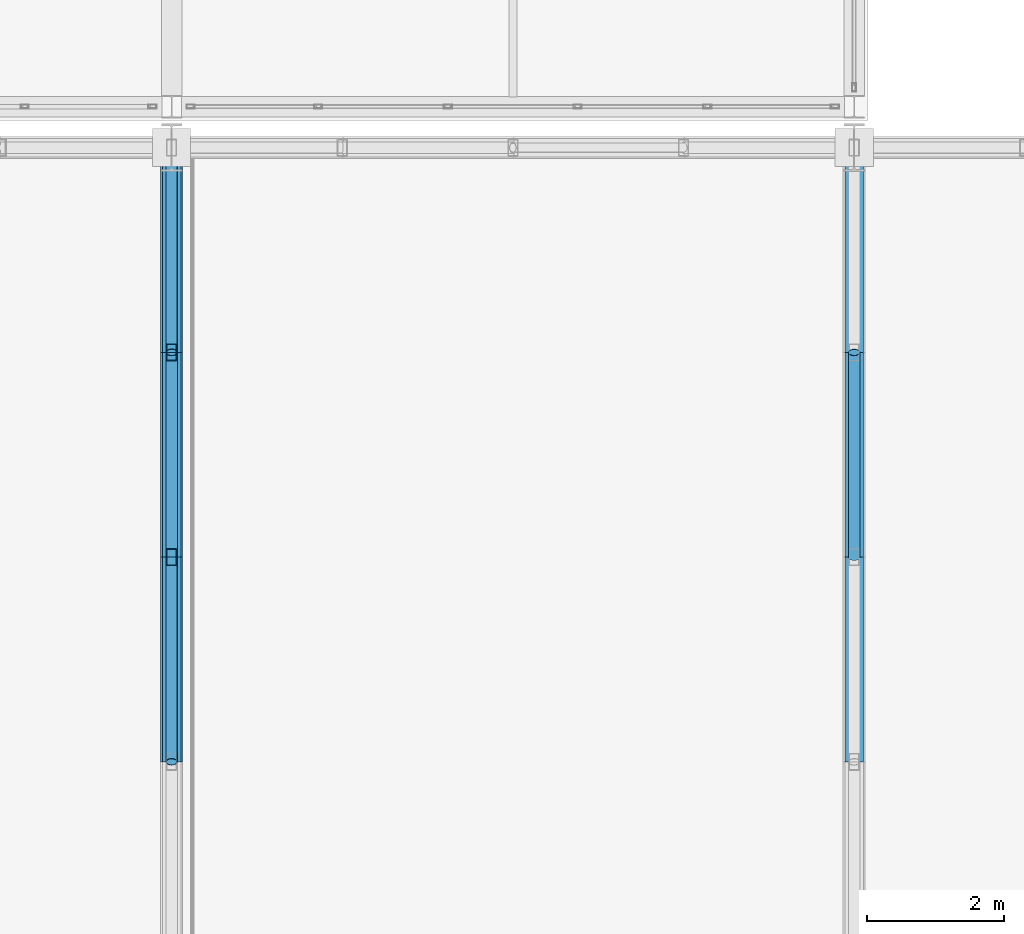
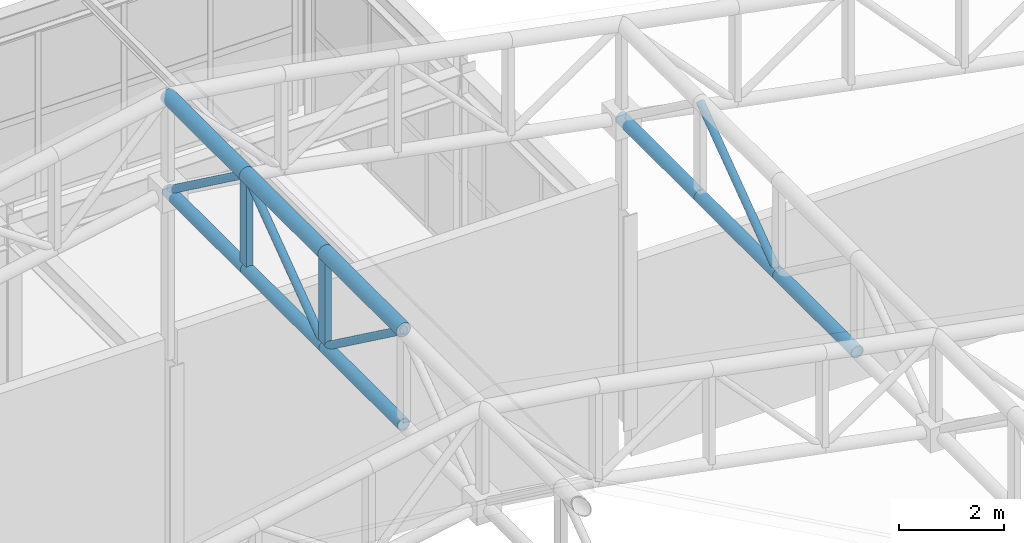
# One storey, part 68 of 112: 15 members.
"""IFC4 building model written with IfcOpenShell, lengths in metres."""

from ifc_helpers import new_model, si_unit, direction, frame, origin, origin_2d, place, context, subcontext, project, spatial, hollow_rectangle, hollow_circle, extrude, material, material_profile, profile_set, type_object, element, save


model = new_model("IFC4")

# Units and contexts
model_context = context("Model", 3, precision=1e-05, world=origin(), true_north=direction((0.0, 1.0)))
body_context = subcontext(model_context, "Body", "Model", "MODEL_VIEW")
ifc_project = project(units=[si_unit("LENGTHUNIT", "METRE"), si_unit("AREAUNIT", "SQUARE_METRE"), si_unit("VOLUMEUNIT", "CUBIC_METRE"), si_unit("PLANEANGLEUNIT", "RADIAN"), si_unit("MASSUNIT", "GRAM", prefix="KILO")], contexts=[model_context])

# Site, building, storey
site_placement = place(None, origin())
site = spatial("IfcSite", under=ifc_project, at=site_placement, CompositionType="ELEMENT")
building_placement = place(site_placement, origin())
building = spatial("IfcBuilding", under=site, at=building_placement, Name="Kaldris Quays Convention Centre", CompositionType="ELEMENT")
storey_placement = place(building_placement, frame((0.0, 0.0, 16.800048828125)))
storey = spatial("IfcBuildingStorey", under=building, at=storey_placement, Name="L03", CompositionType="ELEMENT", Elevation=16.800048828125)

# Members
ifc_material = material(Name="Steel S355J2H", Category="steel")
ifc_material_profile_1 = material_profile(ifc_material, hollow_circle(Radius=0.161865234375, WallThickness=0.01611328125, at=origin_2d()), Name="CHS 323.9x16")
ifc_profile_set_1 = profile_set([ifc_material_profile_1], Name="Steel S355J2H")
member_type_1 = type_object("IfcMemberType", Name="STRUCTURAL MEMBER SC03", PredefinedType="CHORD", material=ifc_profile_set_1)
for number, where, z_axis, x_axis, name in (
    (1, (184.0, 95.0, 11.072509765625), (0.0, 1.0, 0.0), (-1.0, 0.0, 0.0), "SF-V2 Top Chord Y 121"),
    (2, (184.0, 98.0, 11.072509765625), (0.0, 1.0, 0.0), (-1.0, 0.0, 0.0), "SF-V2 Top Chord Y 122"),
    (3, (184.0, 101.0, 11.072509765625), (0.0, 1.0, 0.0), (-1.0, 0.0, 0.0), "SF-V2 Top Chord Y 123"),
):
    element("IfcMember", number, at=place(storey_placement, frame(where, z_axis=z_axis, x_axis=x_axis)), inside=storey, type_object=member_type_1, Name=name, PredefinedType="CHORD", context=body_context, shape_type="SweptSolid", body=[
        extrude(hollow_circle(Radius=0.161865234375, WallThickness=0.01611328125, at=origin_2d()), origin(), (0.0, 0.0, 1.0), 3.0),
    ])
ifc_material_profile_2 = material_profile(ifc_material, hollow_circle(Radius=0.136474609375, WallThickness=0.012451171875, at=origin_2d()), Name="CHS 273x12.5")
ifc_profile_set_2 = profile_set([ifc_material_profile_2], Name="Steel S355J2H")
member_type_2 = type_object("IfcMemberType", Name="STRUCTURAL MEMBER SC04", PredefinedType="CHORD", material=ifc_profile_set_2)
for number, where, z_axis, x_axis, name in (
    (4, (184.0, 95.0, 8.87255859375), (0.0, 1.0, 0.0), (-1.0, 0.0, 0.0), "SF-V2 Bottom Chord Y 121"),
    (5, (184.0, 98.0, 8.87255859375), (0.0, 1.0, 0.0), (-1.0, 0.0, 0.0), "SF-V2 Bottom Chord Y 122"),
    (6, (184.0, 101.0, 8.87255859375), (0.0, 1.0, 0.0), (-1.0, 0.0, 0.0), "SF-V2 Bottom Chord Y 123"),
    (7, (194.0, 95.0, 7.059326171875), (0.0, 1.0, 0.0), (-1.0, 0.0, 0.0), "SF-V2 Bottom Chord Y 137"),
    (8, (194.0, 98.0, 7.059326171875), (0.0, 1.0, 0.0), (-1.0, 0.0, 0.0), "SF-V2 Bottom Chord Y 138"),
    (9, (194.0, 101.0, 7.059326171875), (0.0, 1.0, 0.0), (-1.0, 0.0, 0.0), "SF-V2 Bottom Chord Y 139"),
):
    element("IfcMember", number, at=place(storey_placement, frame(where, z_axis=z_axis, x_axis=x_axis)), inside=storey, type_object=member_type_2, Name=name, PredefinedType="CHORD", context=body_context, shape_type="SweptSolid", body=[
        extrude(hollow_circle(Radius=0.136474609375, WallThickness=0.012451171875, at=origin_2d()), origin(), (0.0, 0.0, 1.0), 3.0),
    ])
ifc_material_profile_3 = material_profile(ifc_material, hollow_circle(Radius=0.084228515625, WallThickness=0.008056640625, at=origin_2d()), Name="CHS 168.3x8")
ifc_profile_set_3 = profile_set([ifc_material_profile_3], Name="Steel S355J2H")
member_type_3 = type_object("IfcMemberType", Name="STRUCTURAL MEMBER SWB2", PredefinedType="BRACE", material=ifc_profile_set_3)
for number, where, z_axis, x_axis, name in (
    (10, (184.0, 98.0, 8.87255859375), (0.0, -0.80641125493, 0.591355128432), (1.0, 0.0, 0.0), "SF-V2 Web Diagonal Y 121"),
    (11, (184.0, 98.0, 8.87255859375), (0.0, 0.80641125493, 0.591355128432), (-1.0, 0.0, 0.0), "SF-V2 Web Diagonal Y 122"),
    (12, (184.0, 104.0, 8.87255859375), (0.0, -0.80641125493, 0.591355128432), (1.0, 0.0, 0.0), "SF-V2 Web Diagonal Y 123"),
    (13, (194.0, 98.0, 7.059326171875), (0.0, 0.80641125493, 0.591355128432), (-1.0, 0.0, 0.0), "SF-V2 Web Diagonal Y 138"),
):
    element("IfcMember", number, at=place(storey_placement, frame(where, z_axis=z_axis, x_axis=x_axis)), inside=storey, type_object=member_type_3, Name=name, PredefinedType="BRACE", context=body_context, shape_type="SweptSolid", body=[
        extrude(hollow_circle(Radius=0.084228515625, WallThickness=0.008056640625, at=origin_2d()), origin(), (0.0, 0.0, 1.0), 3.72021484375),
    ])
ifc_material_profile_4 = material_profile(ifc_material, hollow_rectangle(XDim=0.14990234375, YDim=0.25, WallThickness=0.010009765625, at=origin_2d()), Name="RHS 250x150x10")
ifc_profile_set_4 = profile_set([ifc_material_profile_4], Name="Steel S355J2H")
member_type_4 = type_object("IfcMemberType", Name="STRUCTURAL MEMBER TTV1", PredefinedType="POST", material=ifc_profile_set_4)
for number, where, z_axis, x_axis, name in (
    (14, (184.0, 98.0, 8.87255859375), (0.0, 0.0, 1.0), (1.0, 0.0, 0.0), "SF-V2 Space-Frame Post 74"),
    (15, (184.0, 101.0, 8.87255859375), (0.0, 0.0, 1.0), (1.0, 0.0, 0.0), "SF-V2 Space-Frame Post 75"),
):
    element("IfcMember", number, at=place(storey_placement, frame(where, z_axis=z_axis, x_axis=x_axis)), inside=storey, type_object=member_type_4, Name=name, PredefinedType="POST", context=body_context, shape_type="SweptSolid", body=[
        extrude(hollow_rectangle(XDim=0.14990234375, YDim=0.25, WallThickness=0.010009765625, at=origin_2d()), origin(), (0.0, 0.0, 1.0), 2.199951171875),
    ])

save(model, "model.ifc")
